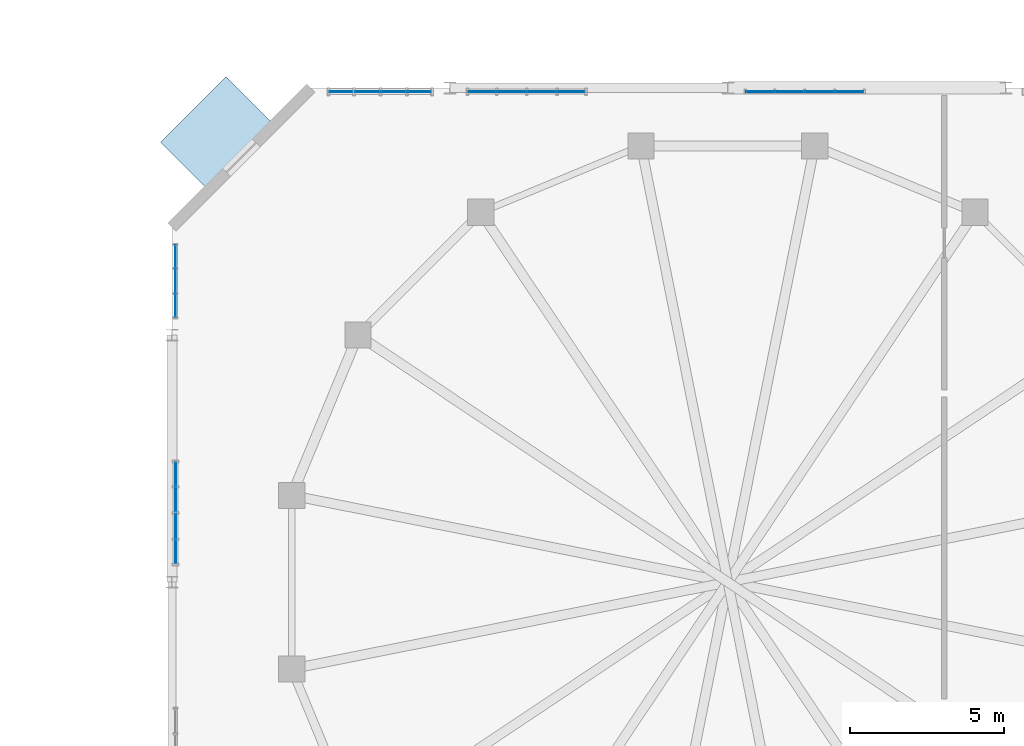
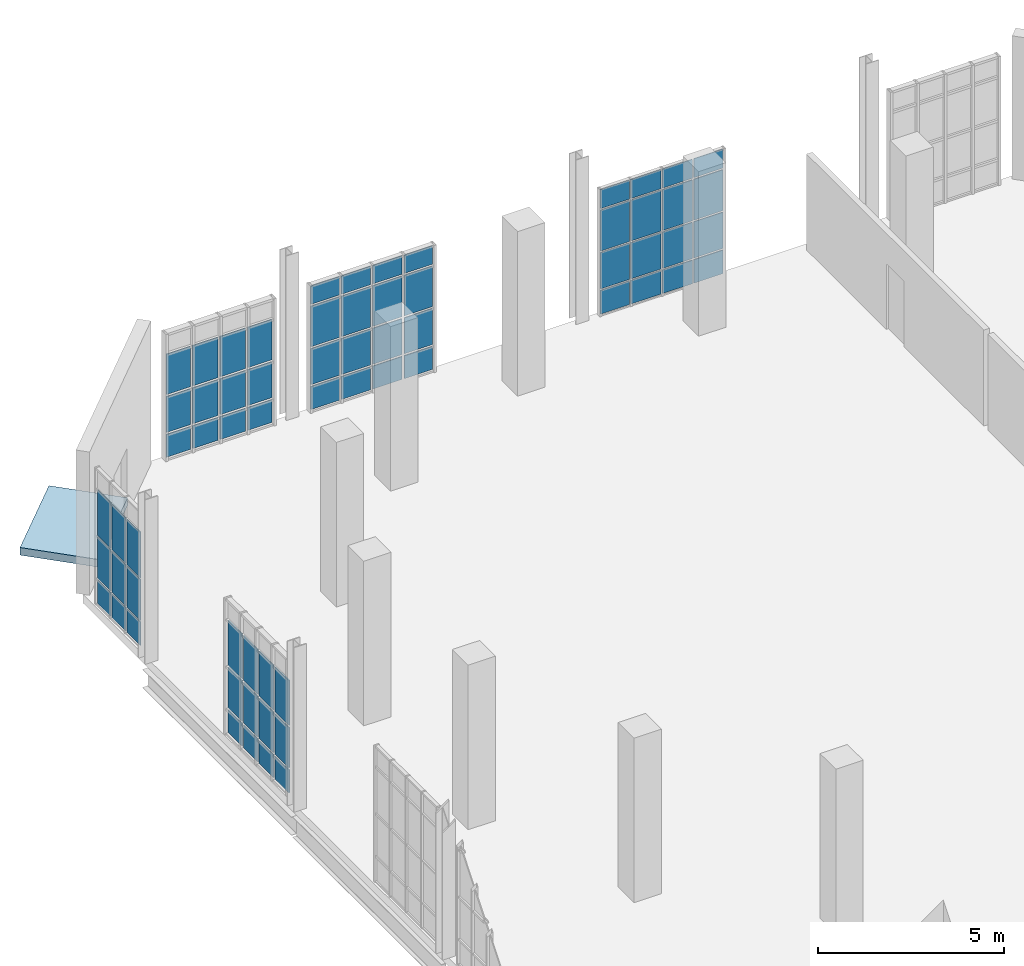
# One storey, part 158 of 189: 65 plates, 1 slab, 5 elements without a shape of their own.
"""IFC4 building model written with IfcOpenShell, lengths in metres."""

from ifc_helpers import new_model, si_unit, direction, frame, origin, origin_2d, place, context, subcontext, project, spatial, polyline, rectangle, outline, extrude, material, layer, layer_set, type_object, element, aggregate, save


model = new_model("IFC4")

# Units and contexts
model_context = context("Model", 3, precision=1e-05, world=origin(), true_north=direction((0.0, 1.0)))
body_context = subcontext(model_context, "Body", "Model", "MODEL_VIEW")
ifc_project = project(units=[si_unit("LENGTHUNIT", "METRE"), si_unit("AREAUNIT", "SQUARE_METRE"), si_unit("VOLUMEUNIT", "CUBIC_METRE"), si_unit("PLANEANGLEUNIT", "RADIAN"), si_unit("MASSUNIT", "GRAM", prefix="KILO"), si_unit("THERMODYNAMICTEMPERATUREUNIT", "KELVIN"), si_unit("POWERUNIT", "WATT")], contexts=[model_context])

# Site, building, storey
site_placement = place(None, origin())
site = spatial("IfcSite", under=ifc_project, at=site_placement, CompositionType="ELEMENT")
building_placement = place(site_placement, origin())
building = spatial("IfcBuilding", under=site, at=building_placement, Name="Zelmaris Science Centre", CompositionType="ELEMENT")
storey_placement = place(building_placement, origin())
storey = spatial("IfcBuildingStorey", under=building, at=storey_placement, Name="L00", CompositionType="ELEMENT", Elevation=0.0)

# Curtain wall, plates
ifc_material_1 = material(Name="Anodised architectural aluminium 6063-T6", Category="aluminium")
ifc_layer_1 = layer(ifc_material_1, 0.18994140625, Name="Anodised architectural aluminium 6063-T6")
ifc_layer_set_1 = layer_set([ifc_layer_1], Name="Anodised architectural aluminium 6063-T6")
curtain_wall_type_1 = type_object("IfcCurtainWallType", Name="Curtain Wall CW-01", PredefinedType="USERDEFINED", material=ifc_layer_set_1)
curtain_wall_1_placement = place(storey_placement, origin())
curtain_wall_1 = element("IfcCurtainWall", 1, at=curtain_wall_1_placement, inside=storey, type_object=curtain_wall_type_1, Name="L00 Unitised curtain wall 17", ObjectType="GLAZED CURTAIN WALL", PredefinedType="USERDEFINED")
ifc_material_2 = material(Name="Laminated hurricane-rated low-E insulated glazing", Category="glass")
ifc_layer_2 = layer(ifc_material_2, 0.031982421875, Name="Laminated hurricane-rated low-E insulated glazing")
ifc_layer_set_2 = layer_set([ifc_layer_2], Name="Laminated hurricane-rated low-E insulated glazing")
plate_type_1 = type_object("IfcPlateType", Name="Curtain Glazing Panel CWP-1 32mm", PredefinedType="CURTAIN_PANEL", material=ifc_layer_set_2)
plate_1_placement = place(storey_placement, frame((14.485595703125, 87.8798828125, 0.05712890625), z_axis=(0.0, 0.0, 1.0), x_axis=(1.0, 0.0, 0.0)))
plate_1 = element("IfcPlate", 2, at=plate_1_placement, type_object=plate_type_1, Name="CW-01 panel 1.1", PredefinedType="CURTAIN_PANEL", context=body_context, shape_type="SweptSolid", body=[
    extrude(rectangle(XDim=0.7470703125, YDim=0.031982421875, at=origin_2d()), origin(), (0.0, 0.0, 1.0), 0.741943359375),
])
plate_2_placement = place(storey_placement, frame((14.485595703125, 87.8798828125, 0.87109375), z_axis=(0.0, 0.0, 1.0), x_axis=(1.0, 0.0, 0.0)))
plate_2 = element("IfcPlate", 3, at=plate_2_placement, type_object=plate_type_1, Name="CW-01 panel 1.2", PredefinedType="CURTAIN_PANEL", context=body_context, shape_type="SweptSolid", body=[
    extrude(rectangle(XDim=0.7470703125, YDim=0.031982421875, at=origin_2d()), origin(), (0.0, 0.0, 1.0), 1.1708984375),
])
plate_3_placement = place(storey_placement, frame((14.485595703125, 87.8798828125, 2.11376953125), z_axis=(0.0, 0.0, 1.0), x_axis=(1.0, 0.0, 0.0)))
plate_3 = element("IfcPlate", 4, at=plate_3_placement, type_object=plate_type_1, Name="CW-01 panel 1.3", PredefinedType="CURTAIN_PANEL", context=body_context, shape_type="SweptSolid", body=[
    extrude(rectangle(XDim=0.7470703125, YDim=0.031982421875, at=origin_2d()), origin(), (0.0, 0.0, 1.0), 1.321044921875),
])
plate_4_placement = place(storey_placement, frame((15.322509765625, 87.8798828125, 0.05712890625), z_axis=(0.0, 0.0, 1.0), x_axis=(1.0, 0.0, 0.0)))
plate_4 = element("IfcPlate", 5, at=plate_4_placement, type_object=plate_type_1, Name="CW-01 panel 2.1", PredefinedType="CURTAIN_PANEL", context=body_context, shape_type="SweptSolid", body=[
    extrude(rectangle(XDim=0.782958984375, YDim=0.031982421875, at=origin_2d()), origin(), (0.0, 0.0, 1.0), 0.741943359375),
])
plate_5_placement = place(storey_placement, frame((15.322509765625, 87.8798828125, 0.87109375), z_axis=(0.0, 0.0, 1.0), x_axis=(1.0, 0.0, 0.0)))
plate_5 = element("IfcPlate", 6, at=plate_5_placement, type_object=plate_type_1, Name="CW-01 panel 2.2", PredefinedType="CURTAIN_PANEL", context=body_context, shape_type="SweptSolid", body=[
    extrude(rectangle(XDim=0.782958984375, YDim=0.031982421875, at=origin_2d()), origin(), (0.0, 0.0, 1.0), 1.1708984375),
])
plate_6_placement = place(storey_placement, frame((15.322509765625, 87.8798828125, 2.11376953125), z_axis=(0.0, 0.0, 1.0), x_axis=(1.0, 0.0, 0.0)))
plate_6 = element("IfcPlate", 7, at=plate_6_placement, type_object=plate_type_1, Name="CW-01 panel 2.3", PredefinedType="CURTAIN_PANEL", context=body_context, shape_type="SweptSolid", body=[
    extrude(rectangle(XDim=0.782958984375, YDim=0.031982421875, at=origin_2d()), origin(), (0.0, 0.0, 1.0), 1.321044921875),
])
plate_7_placement = place(storey_placement, frame((16.177490234375, 87.8798828125, 0.05712890625), z_axis=(0.0, 0.0, 1.0), x_axis=(1.0, 0.0, 0.0)))
plate_7 = element("IfcPlate", 8, at=plate_7_placement, type_object=plate_type_1, Name="CW-01 panel 3.1", PredefinedType="CURTAIN_PANEL", context=body_context, shape_type="SweptSolid", body=[
    extrude(rectangle(XDim=0.782958984375, YDim=0.031982421875, at=origin_2d()), origin(), (0.0, 0.0, 1.0), 0.741943359375),
])
plate_8_placement = place(storey_placement, frame((16.177490234375, 87.8798828125, 0.87109375), z_axis=(0.0, 0.0, 1.0), x_axis=(1.0, 0.0, 0.0)))
plate_8 = element("IfcPlate", 9, at=plate_8_placement, type_object=plate_type_1, Name="CW-01 panel 3.2", PredefinedType="CURTAIN_PANEL", context=body_context, shape_type="SweptSolid", body=[
    extrude(rectangle(XDim=0.782958984375, YDim=0.031982421875, at=origin_2d()), origin(), (0.0, 0.0, 1.0), 1.1708984375),
])
plate_9_placement = place(storey_placement, frame((16.177490234375, 87.8798828125, 2.11376953125), z_axis=(0.0, 0.0, 1.0), x_axis=(1.0, 0.0, 0.0)))
plate_9 = element("IfcPlate", 10, at=plate_9_placement, type_object=plate_type_1, Name="CW-01 panel 3.3", PredefinedType="CURTAIN_PANEL", context=body_context, shape_type="SweptSolid", body=[
    extrude(rectangle(XDim=0.782958984375, YDim=0.031982421875, at=origin_2d()), origin(), (0.0, 0.0, 1.0), 1.321044921875),
])
plate_10_placement = place(storey_placement, frame((17.014404296875, 87.8798828125, 0.05712890625), z_axis=(0.0, 0.0, 1.0), x_axis=(1.0, 0.0, 0.0)))
plate_10 = element("IfcPlate", 11, at=plate_10_placement, type_object=plate_type_1, Name="CW-01 panel 4.1", PredefinedType="CURTAIN_PANEL", context=body_context, shape_type="SweptSolid", body=[
    extrude(rectangle(XDim=0.7470703125, YDim=0.031982421875, at=origin_2d()), origin(), (0.0, 0.0, 1.0), 0.741943359375),
])
plate_11_placement = place(storey_placement, frame((17.014404296875, 87.8798828125, 0.87109375), z_axis=(0.0, 0.0, 1.0), x_axis=(1.0, 0.0, 0.0)))
plate_11 = element("IfcPlate", 12, at=plate_11_placement, type_object=plate_type_1, Name="CW-01 panel 4.2", PredefinedType="CURTAIN_PANEL", context=body_context, shape_type="SweptSolid", body=[
    extrude(rectangle(XDim=0.7470703125, YDim=0.031982421875, at=origin_2d()), origin(), (0.0, 0.0, 1.0), 1.1708984375),
])
plate_12_placement = place(storey_placement, frame((17.014404296875, 87.8798828125, 2.11376953125), z_axis=(0.0, 0.0, 1.0), x_axis=(1.0, 0.0, 0.0)))
plate_12 = element("IfcPlate", 13, at=plate_12_placement, type_object=plate_type_1, Name="CW-01 panel 4.3", PredefinedType="CURTAIN_PANEL", context=body_context, shape_type="SweptSolid", body=[
    extrude(rectangle(XDim=0.7470703125, YDim=0.031982421875, at=origin_2d()), origin(), (0.0, 0.0, 1.0), 1.321044921875),
])
aggregate(curtain_wall_1, [plate_1, plate_2, plate_3, plate_4, plate_5, plate_6, plate_7, plate_8, plate_9, plate_10, plate_11, plate_12])

ifc_layer_3 = layer(ifc_material_1, 0.199951171875, Name="Anodised architectural aluminium 6063-T6")
ifc_layer_set_3 = layer_set([ifc_layer_3], Name="Anodised architectural aluminium 6063-T6")
curtain_wall_type_2 = type_object("IfcCurtainWallType", Name="Curtain Wall CW-02", PredefinedType="USERDEFINED", material=ifc_layer_set_3)
curtain_wall_2_placement = place(storey_placement, origin())
curtain_wall_2 = element("IfcCurtainWall", 14, at=curtain_wall_2_placement, inside=storey, type_object=curtain_wall_type_2, Name="L00 Unitised curtain wall 14", ObjectType="GLAZED CURTAIN WALL", PredefinedType="USERDEFINED")
ifc_layer_4 = layer(ifc_material_2, 0.028076171875, Name="Laminated hurricane-rated low-E insulated glazing")
ifc_layer_set_4 = layer_set([ifc_layer_4], Name="Laminated hurricane-rated low-E insulated glazing")
plate_type_2 = type_object("IfcPlateType", Name="Curtain Glazing Panel CWP-2 28mm", PredefinedType="CURTAIN_PANEL", material=ifc_layer_set_4)
plate_13_placement = place(storey_placement, frame((9.1201171875, 72.981689453125, 0.052001953125), z_axis=(0.0, 0.0, 1.0), x_axis=(0.0, 1.0, 0.0)))
plate_13 = element("IfcPlate", 15, at=plate_13_placement, type_object=plate_type_2, Name="CW-02 panel 1.1", PredefinedType="CURTAIN_PANEL", context=body_context, shape_type="SweptSolid", body=[
    extrude(rectangle(XDim=0.74951171875, YDim=0.028076171875, at=origin_2d()), origin(), (0.0, 0.0, 1.0), 0.74951171875),
])
plate_14_placement = place(storey_placement, frame((9.1201171875, 72.981689453125, 0.86865234375), z_axis=(0.0, 0.0, 1.0), x_axis=(0.0, 1.0, 0.0)))
plate_14 = element("IfcPlate", 16, at=plate_14_placement, type_object=plate_type_2, Name="CW-02 panel 1.2", PredefinedType="CURTAIN_PANEL", context=body_context, shape_type="SweptSolid", body=[
    extrude(rectangle(XDim=0.74951171875, YDim=0.028076171875, at=origin_2d()), origin(), (0.0, 0.0, 1.0), 1.326904296875),
])
plate_15_placement = place(storey_placement, frame((9.1201171875, 72.981689453125, 2.262451171875), z_axis=(0.0, 0.0, 1.0), x_axis=(0.0, 1.0, 0.0)))
plate_15 = element("IfcPlate", 17, at=plate_15_placement, type_object=plate_type_2, Name="CW-02 panel 1.3", PredefinedType="CURTAIN_PANEL", context=body_context, shape_type="SweptSolid", body=[
    extrude(rectangle(XDim=0.74951171875, YDim=0.028076171875, at=origin_2d()), origin(), (0.0, 0.0, 1.0), 1.47705078125),
])
plate_16_placement = place(storey_placement, frame((9.1201171875, 73.81494140625, 0.052001953125), z_axis=(0.0, 0.0, 1.0), x_axis=(0.0, 1.0, 0.0)))
plate_16 = element("IfcPlate", 18, at=plate_16_placement, type_object=plate_type_2, Name="CW-02 panel 2.1", PredefinedType="CURTAIN_PANEL", context=body_context, shape_type="SweptSolid", body=[
    extrude(rectangle(XDim=0.782958984375, YDim=0.028076171875, at=origin_2d()), origin(), (0.0, 0.0, 1.0), 0.74951171875),
])
plate_17_placement = place(storey_placement, frame((9.1201171875, 73.81494140625, 0.86865234375), z_axis=(0.0, 0.0, 1.0), x_axis=(0.0, 1.0, 0.0)))
plate_17 = element("IfcPlate", 19, at=plate_17_placement, type_object=plate_type_2, Name="CW-02 panel 2.2", PredefinedType="CURTAIN_PANEL", context=body_context, shape_type="SweptSolid", body=[
    extrude(rectangle(XDim=0.782958984375, YDim=0.028076171875, at=origin_2d()), origin(), (0.0, 0.0, 1.0), 1.326904296875),
])
plate_18_placement = place(storey_placement, frame((9.1201171875, 73.81494140625, 2.262451171875), z_axis=(0.0, 0.0, 1.0), x_axis=(0.0, 1.0, 0.0)))
plate_18 = element("IfcPlate", 20, at=plate_18_placement, type_object=plate_type_2, Name="CW-02 panel 2.3", PredefinedType="CURTAIN_PANEL", context=body_context, shape_type="SweptSolid", body=[
    extrude(rectangle(XDim=0.782958984375, YDim=0.028076171875, at=origin_2d()), origin(), (0.0, 0.0, 1.0), 1.47705078125),
])
plate_19_placement = place(storey_placement, frame((9.1201171875, 74.6650390625, 0.052001953125), z_axis=(0.0, 0.0, 1.0), x_axis=(0.0, 1.0, 0.0)))
plate_19 = element("IfcPlate", 21, at=plate_19_placement, type_object=plate_type_2, Name="CW-02 panel 3.1", PredefinedType="CURTAIN_PANEL", context=body_context, shape_type="SweptSolid", body=[
    extrude(rectangle(XDim=0.782958984375, YDim=0.028076171875, at=origin_2d()), origin(), (0.0, 0.0, 1.0), 0.74951171875),
])
plate_20_placement = place(storey_placement, frame((9.1201171875, 74.6650390625, 0.86865234375), z_axis=(0.0, 0.0, 1.0), x_axis=(0.0, 1.0, 0.0)))
plate_20 = element("IfcPlate", 22, at=plate_20_placement, type_object=plate_type_2, Name="CW-02 panel 3.2", PredefinedType="CURTAIN_PANEL", context=body_context, shape_type="SweptSolid", body=[
    extrude(rectangle(XDim=0.782958984375, YDim=0.028076171875, at=origin_2d()), origin(), (0.0, 0.0, 1.0), 1.326904296875),
])
plate_21_placement = place(storey_placement, frame((9.1201171875, 74.6650390625, 2.262451171875), z_axis=(0.0, 0.0, 1.0), x_axis=(0.0, 1.0, 0.0)))
plate_21 = element("IfcPlate", 23, at=plate_21_placement, type_object=plate_type_2, Name="CW-02 panel 3.3", PredefinedType="CURTAIN_PANEL", context=body_context, shape_type="SweptSolid", body=[
    extrude(rectangle(XDim=0.782958984375, YDim=0.028076171875, at=origin_2d()), origin(), (0.0, 0.0, 1.0), 1.47705078125),
])
plate_22_placement = place(storey_placement, frame((9.1201171875, 75.498291015625, 0.052001953125), z_axis=(0.0, 0.0, 1.0), x_axis=(0.0, 1.0, 0.0)))
plate_22 = element("IfcPlate", 24, at=plate_22_placement, type_object=plate_type_2, Name="CW-02 panel 4.1", PredefinedType="CURTAIN_PANEL", context=body_context, shape_type="SweptSolid", body=[
    extrude(rectangle(XDim=0.74951171875, YDim=0.028076171875, at=origin_2d()), origin(), (0.0, 0.0, 1.0), 0.74951171875),
])
plate_23_placement = place(storey_placement, frame((9.1201171875, 75.498291015625, 0.86865234375), z_axis=(0.0, 0.0, 1.0), x_axis=(0.0, 1.0, 0.0)))
plate_23 = element("IfcPlate", 25, at=plate_23_placement, type_object=plate_type_2, Name="CW-02 panel 4.2", PredefinedType="CURTAIN_PANEL", context=body_context, shape_type="SweptSolid", body=[
    extrude(rectangle(XDim=0.74951171875, YDim=0.028076171875, at=origin_2d()), origin(), (0.0, 0.0, 1.0), 1.326904296875),
])
plate_24_placement = place(storey_placement, frame((9.1201171875, 75.498291015625, 2.262451171875), z_axis=(0.0, 0.0, 1.0), x_axis=(0.0, 1.0, 0.0)))
plate_24 = element("IfcPlate", 26, at=plate_24_placement, type_object=plate_type_2, Name="CW-02 panel 4.3", PredefinedType="CURTAIN_PANEL", context=body_context, shape_type="SweptSolid", body=[
    extrude(rectangle(XDim=0.74951171875, YDim=0.028076171875, at=origin_2d()), origin(), (0.0, 0.0, 1.0), 1.47705078125),
])
aggregate(curtain_wall_2, [plate_13, plate_14, plate_15, plate_16, plate_17, plate_18, plate_19, plate_20, plate_21, plate_22, plate_23, plate_24])

curtain_wall_3_placement = place(storey_placement, origin())
curtain_wall_3 = element("IfcCurtainWall", 27, at=curtain_wall_3_placement, inside=storey, type_object=curtain_wall_type_2, Name="L00 Unitised curtain wall 18", ObjectType="GLAZED CURTAIN WALL", PredefinedType="USERDEFINED")
plate_25_placement = place(storey_placement, frame((19.044189453125, 87.8798828125, 0.052001953125), z_axis=(0.0, 0.0, 1.0), x_axis=(1.0, 0.0, 0.0)))
plate_25 = element("IfcPlate", 28, at=plate_25_placement, type_object=plate_type_2, Name="CW-02 panel 1.1", PredefinedType="CURTAIN_PANEL", context=body_context, shape_type="SweptSolid", body=[
    extrude(rectangle(XDim=0.87451171875, YDim=0.028076171875, at=origin_2d()), origin(), (0.0, 0.0, 1.0), 0.74951171875),
])
plate_26_placement = place(storey_placement, frame((19.044189453125, 87.8798828125, 0.86865234375), z_axis=(0.0, 0.0, 1.0), x_axis=(1.0, 0.0, 0.0)))
plate_26 = element("IfcPlate", 29, at=plate_26_placement, type_object=plate_type_2, Name="CW-02 panel 1.2", PredefinedType="CURTAIN_PANEL", context=body_context, shape_type="SweptSolid", body=[
    extrude(rectangle(XDim=0.87451171875, YDim=0.028076171875, at=origin_2d()), origin(), (0.0, 0.0, 1.0), 1.176025390625),
])
plate_27_placement = place(storey_placement, frame((19.044189453125, 87.8798828125, 2.111328125), z_axis=(0.0, 0.0, 1.0), x_axis=(1.0, 0.0, 0.0)))
plate_27 = element("IfcPlate", 30, at=plate_27_placement, type_object=plate_type_2, Name="CW-02 panel 1.3", PredefinedType="CURTAIN_PANEL", context=body_context, shape_type="SweptSolid", body=[
    extrude(rectangle(XDim=0.87451171875, YDim=0.028076171875, at=origin_2d()), origin(), (0.0, 0.0, 1.0), 1.325927734375),
])
plate_28_placement = place(storey_placement, frame((19.044189453125, 87.8798828125, 3.50439453125), z_axis=(0.0, 0.0, 1.0), x_axis=(1.0, 0.0, 0.0)))
plate_28 = element("IfcPlate", 31, at=plate_28_placement, type_object=plate_type_2, Name="CW-02 panel 1.4", PredefinedType="CURTAIN_PANEL", context=body_context, shape_type="SweptSolid", body=[
    extrude(rectangle(XDim=0.87451171875, YDim=0.028076171875, at=origin_2d()), origin(), (0.0, 0.0, 1.0), 0.599609375),
])
plate_29_placement = place(storey_placement, frame((20.00244140625, 87.8798828125, 0.052001953125), z_axis=(0.0, 0.0, 1.0), x_axis=(1.0, 0.0, 0.0)))
plate_29 = element("IfcPlate", 32, at=plate_29_placement, type_object=plate_type_2, Name="CW-02 panel 2.1", PredefinedType="CURTAIN_PANEL", context=body_context, shape_type="SweptSolid", body=[
    extrude(rectangle(XDim=0.907958984375, YDim=0.028076171875, at=origin_2d()), origin(), (0.0, 0.0, 1.0), 0.74951171875),
])
plate_30_placement = place(storey_placement, frame((20.00244140625, 87.8798828125, 0.86865234375), z_axis=(0.0, 0.0, 1.0), x_axis=(1.0, 0.0, 0.0)))
plate_30 = element("IfcPlate", 33, at=plate_30_placement, type_object=plate_type_2, Name="CW-02 panel 2.2", PredefinedType="CURTAIN_PANEL", context=body_context, shape_type="SweptSolid", body=[
    extrude(rectangle(XDim=0.907958984375, YDim=0.028076171875, at=origin_2d()), origin(), (0.0, 0.0, 1.0), 1.176025390625),
])
plate_31_placement = place(storey_placement, frame((20.00244140625, 87.8798828125, 2.111328125), z_axis=(0.0, 0.0, 1.0), x_axis=(1.0, 0.0, 0.0)))
plate_31 = element("IfcPlate", 34, at=plate_31_placement, type_object=plate_type_2, Name="CW-02 panel 2.3", PredefinedType="CURTAIN_PANEL", context=body_context, shape_type="SweptSolid", body=[
    extrude(rectangle(XDim=0.907958984375, YDim=0.028076171875, at=origin_2d()), origin(), (0.0, 0.0, 1.0), 1.325927734375),
])
plate_32_placement = place(storey_placement, frame((20.00244140625, 87.8798828125, 3.50439453125), z_axis=(0.0, 0.0, 1.0), x_axis=(1.0, 0.0, 0.0)))
plate_32 = element("IfcPlate", 35, at=plate_32_placement, type_object=plate_type_2, Name="CW-02 panel 2.4", PredefinedType="CURTAIN_PANEL", context=body_context, shape_type="SweptSolid", body=[
    extrude(rectangle(XDim=0.907958984375, YDim=0.028076171875, at=origin_2d()), origin(), (0.0, 0.0, 1.0), 0.599609375),
])
plate_33_placement = place(storey_placement, frame((20.9775390625, 87.8798828125, 0.052001953125), z_axis=(0.0, 0.0, 1.0), x_axis=(1.0, 0.0, 0.0)))
plate_33 = element("IfcPlate", 36, at=plate_33_placement, type_object=plate_type_2, Name="CW-02 panel 3.1", PredefinedType="CURTAIN_PANEL", context=body_context, shape_type="SweptSolid", body=[
    extrude(rectangle(XDim=0.907958984375, YDim=0.028076171875, at=origin_2d()), origin(), (0.0, 0.0, 1.0), 0.74951171875),
])
plate_34_placement = place(storey_placement, frame((20.9775390625, 87.8798828125, 0.86865234375), z_axis=(0.0, 0.0, 1.0), x_axis=(1.0, 0.0, 0.0)))
plate_34 = element("IfcPlate", 37, at=plate_34_placement, type_object=plate_type_2, Name="CW-02 panel 3.2", PredefinedType="CURTAIN_PANEL", context=body_context, shape_type="SweptSolid", body=[
    extrude(rectangle(XDim=0.907958984375, YDim=0.028076171875, at=origin_2d()), origin(), (0.0, 0.0, 1.0), 1.176025390625),
])
plate_35_placement = place(storey_placement, frame((20.9775390625, 87.8798828125, 2.111328125), z_axis=(0.0, 0.0, 1.0), x_axis=(1.0, 0.0, 0.0)))
plate_35 = element("IfcPlate", 38, at=plate_35_placement, type_object=plate_type_2, Name="CW-02 panel 3.3", PredefinedType="CURTAIN_PANEL", context=body_context, shape_type="SweptSolid", body=[
    extrude(rectangle(XDim=0.907958984375, YDim=0.028076171875, at=origin_2d()), origin(), (0.0, 0.0, 1.0), 1.325927734375),
])
plate_36_placement = place(storey_placement, frame((20.9775390625, 87.8798828125, 3.50439453125), z_axis=(0.0, 0.0, 1.0), x_axis=(1.0, 0.0, 0.0)))
plate_36 = element("IfcPlate", 39, at=plate_36_placement, type_object=plate_type_2, Name="CW-02 panel 3.4", PredefinedType="CURTAIN_PANEL", context=body_context, shape_type="SweptSolid", body=[
    extrude(rectangle(XDim=0.907958984375, YDim=0.028076171875, at=origin_2d()), origin(), (0.0, 0.0, 1.0), 0.599609375),
])
plate_37_placement = place(storey_placement, frame((21.935791015625, 87.8798828125, 0.052001953125), z_axis=(0.0, 0.0, 1.0), x_axis=(1.0, 0.0, 0.0)))
plate_37 = element("IfcPlate", 40, at=plate_37_placement, type_object=plate_type_2, Name="CW-02 panel 4.1", PredefinedType="CURTAIN_PANEL", context=body_context, shape_type="SweptSolid", body=[
    extrude(rectangle(XDim=0.87451171875, YDim=0.028076171875, at=origin_2d()), origin(), (0.0, 0.0, 1.0), 0.74951171875),
])
plate_38_placement = place(storey_placement, frame((21.935791015625, 87.8798828125, 0.86865234375), z_axis=(0.0, 0.0, 1.0), x_axis=(1.0, 0.0, 0.0)))
plate_38 = element("IfcPlate", 41, at=plate_38_placement, type_object=plate_type_2, Name="CW-02 panel 4.2", PredefinedType="CURTAIN_PANEL", context=body_context, shape_type="SweptSolid", body=[
    extrude(rectangle(XDim=0.87451171875, YDim=0.028076171875, at=origin_2d()), origin(), (0.0, 0.0, 1.0), 1.176025390625),
])
plate_39_placement = place(storey_placement, frame((21.935791015625, 87.8798828125, 2.111328125), z_axis=(0.0, 0.0, 1.0), x_axis=(1.0, 0.0, 0.0)))
plate_39 = element("IfcPlate", 42, at=plate_39_placement, type_object=plate_type_2, Name="CW-02 panel 4.3", PredefinedType="CURTAIN_PANEL", context=body_context, shape_type="SweptSolid", body=[
    extrude(rectangle(XDim=0.87451171875, YDim=0.028076171875, at=origin_2d()), origin(), (0.0, 0.0, 1.0), 1.325927734375),
])
plate_40_placement = place(storey_placement, frame((21.935791015625, 87.8798828125, 3.50439453125), z_axis=(0.0, 0.0, 1.0), x_axis=(1.0, 0.0, 0.0)))
plate_40 = element("IfcPlate", 43, at=plate_40_placement, type_object=plate_type_2, Name="CW-02 panel 4.4", PredefinedType="CURTAIN_PANEL", context=body_context, shape_type="SweptSolid", body=[
    extrude(rectangle(XDim=0.87451171875, YDim=0.028076171875, at=origin_2d()), origin(), (0.0, 0.0, 1.0), 0.599609375),
])
aggregate(curtain_wall_3, [plate_25, plate_26, plate_27, plate_28, plate_29, plate_30, plate_31, plate_32, plate_33, plate_34, plate_35, plate_36, plate_37, plate_38, plate_39, plate_40])

ifc_layer_5 = layer(ifc_material_1, 0.219970703125, Name="Anodised architectural aluminium 6063-T6")
ifc_layer_set_5 = layer_set([ifc_layer_5], Name="Anodised architectural aluminium 6063-T6")
curtain_wall_type_3 = type_object("IfcCurtainWallType", Name="Curtain Wall CW-04", PredefinedType="USERDEFINED", material=ifc_layer_set_5)
curtain_wall_4_placement = place(storey_placement, origin())
curtain_wall_4 = element("IfcCurtainWall", 44, at=curtain_wall_4_placement, inside=storey, type_object=curtain_wall_type_3, Name="L00 Unitised curtain wall 16", ObjectType="GLAZED CURTAIN WALL", PredefinedType="USERDEFINED")
ifc_layer_6 = layer(ifc_material_2, 0.02392578125, Name="Laminated hurricane-rated low-E insulated glazing")
ifc_layer_set_6 = layer_set([ifc_layer_6], Name="Laminated hurricane-rated low-E insulated glazing")
plate_type_3 = type_object("IfcPlateType", Name="Curtain Glazing Panel CWP-4 24mm", PredefinedType="CURTAIN_PANEL", material=ifc_layer_set_6)
plate_41_placement = place(storey_placement, frame((9.1201171875, 80.956298828125, 0.037109375), z_axis=(0.0, 0.0, 1.0), x_axis=(0.0, 1.0, 0.0)))
plate_41 = element("IfcPlate", 45, at=plate_41_placement, type_object=plate_type_3, Name="CW-04 panel 1.1", PredefinedType="CURTAIN_PANEL", context=body_context, shape_type="SweptSolid", body=[
    extrude(rectangle(XDim=0.728759765625, YDim=0.02392578125, at=origin_2d()), origin(), (0.0, 0.0, 1.0), 0.77197265625),
])
plate_42_placement = place(storey_placement, frame((9.1201171875, 80.956298828125, 0.86083984375), z_axis=(0.0, 0.0, 1.0), x_axis=(0.0, 1.0, 0.0)))
plate_42 = element("IfcPlate", 46, at=plate_42_placement, type_object=plate_type_3, Name="CW-04 panel 1.2", PredefinedType="CURTAIN_PANEL", context=body_context, shape_type="SweptSolid", body=[
    extrude(rectangle(XDim=0.728759765625, YDim=0.02392578125, at=origin_2d()), origin(), (0.0, 0.0, 1.0), 1.346923828125),
])
plate_43_placement = place(storey_placement, frame((9.1201171875, 80.956298828125, 2.260009765625), z_axis=(0.0, 0.0, 1.0), x_axis=(0.0, 1.0, 0.0)))
plate_43 = element("IfcPlate", 47, at=plate_43_placement, type_object=plate_type_3, Name="CW-04 panel 1.3", PredefinedType="CURTAIN_PANEL", context=body_context, shape_type="SweptSolid", body=[
    extrude(rectangle(XDim=0.728759765625, YDim=0.02392578125, at=origin_2d()), origin(), (0.0, 0.0, 1.0), 1.4970703125),
])
plate_44_placement = place(storey_placement, frame((9.1201171875, 81.75, 0.037109375), z_axis=(0.0, 0.0, 1.0), x_axis=(0.0, 1.0, 0.0)))
plate_44 = element("IfcPlate", 48, at=plate_44_placement, type_object=plate_type_3, Name="CW-04 panel 2.1", PredefinedType="CURTAIN_PANEL", context=body_context, shape_type="SweptSolid", body=[
    extrude(rectangle(XDim=0.754638671875, YDim=0.02392578125, at=origin_2d()), origin(), (0.0, 0.0, 1.0), 0.77197265625),
])
plate_45_placement = place(storey_placement, frame((9.1201171875, 81.75, 0.86083984375), z_axis=(0.0, 0.0, 1.0), x_axis=(0.0, 1.0, 0.0)))
plate_45 = element("IfcPlate", 49, at=plate_45_placement, type_object=plate_type_3, Name="CW-04 panel 2.2", PredefinedType="CURTAIN_PANEL", context=body_context, shape_type="SweptSolid", body=[
    extrude(rectangle(XDim=0.754638671875, YDim=0.02392578125, at=origin_2d()), origin(), (0.0, 0.0, 1.0), 1.346923828125),
])
plate_46_placement = place(storey_placement, frame((9.1201171875, 81.75, 2.260009765625), z_axis=(0.0, 0.0, 1.0), x_axis=(0.0, 1.0, 0.0)))
plate_46 = element("IfcPlate", 50, at=plate_46_placement, type_object=plate_type_3, Name="CW-04 panel 2.3", PredefinedType="CURTAIN_PANEL", context=body_context, shape_type="SweptSolid", body=[
    extrude(rectangle(XDim=0.754638671875, YDim=0.02392578125, at=origin_2d()), origin(), (0.0, 0.0, 1.0), 1.4970703125),
])
plate_47_placement = place(storey_placement, frame((9.1201171875, 82.543701171875, 0.037109375), z_axis=(0.0, 0.0, 1.0), x_axis=(0.0, 1.0, 0.0)))
plate_47 = element("IfcPlate", 51, at=plate_47_placement, type_object=plate_type_3, Name="CW-04 panel 3.1", PredefinedType="CURTAIN_PANEL", context=body_context, shape_type="SweptSolid", body=[
    extrude(rectangle(XDim=0.728759765625, YDim=0.02392578125, at=origin_2d()), origin(), (0.0, 0.0, 1.0), 0.77197265625),
])
plate_48_placement = place(storey_placement, frame((9.1201171875, 82.543701171875, 0.86083984375), z_axis=(0.0, 0.0, 1.0), x_axis=(0.0, 1.0, 0.0)))
plate_48 = element("IfcPlate", 52, at=plate_48_placement, type_object=plate_type_3, Name="CW-04 panel 3.2", PredefinedType="CURTAIN_PANEL", context=body_context, shape_type="SweptSolid", body=[
    extrude(rectangle(XDim=0.728759765625, YDim=0.02392578125, at=origin_2d()), origin(), (0.0, 0.0, 1.0), 1.346923828125),
])
plate_49_placement = place(storey_placement, frame((9.1201171875, 82.543701171875, 2.260009765625), z_axis=(0.0, 0.0, 1.0), x_axis=(0.0, 1.0, 0.0)))
plate_49 = element("IfcPlate", 53, at=plate_49_placement, type_object=plate_type_3, Name="CW-04 panel 3.3", PredefinedType="CURTAIN_PANEL", context=body_context, shape_type="SweptSolid", body=[
    extrude(rectangle(XDim=0.728759765625, YDim=0.02392578125, at=origin_2d()), origin(), (0.0, 0.0, 1.0), 1.4970703125),
])
aggregate(curtain_wall_4, [plate_41, plate_42, plate_43, plate_44, plate_45, plate_46, plate_47, plate_48, plate_49])

curtain_wall_5_placement = place(storey_placement, origin())
curtain_wall_5 = element("IfcCurtainWall", 54, at=curtain_wall_5_placement, inside=storey, type_object=curtain_wall_type_3, Name="L00 Unitised curtain wall 20", ObjectType="GLAZED CURTAIN WALL", PredefinedType="USERDEFINED")
plate_50_placement = place(storey_placement, frame((28.04052734375, 87.8798828125, 0.037109375), z_axis=(0.0, 0.0, 1.0), x_axis=(1.0, 0.0, 0.0)))
plate_50 = element("IfcPlate", 55, at=plate_50_placement, type_object=plate_type_3, Name="CW-04 panel 1.1", PredefinedType="CURTAIN_PANEL", context=body_context, shape_type="SweptSolid", body=[
    extrude(rectangle(XDim=0.89697265625, YDim=0.02392578125, at=origin_2d()), origin(), (0.0, 0.0, 1.0), 0.77197265625),
])
plate_51_placement = place(storey_placement, frame((28.04052734375, 87.8798828125, 0.861083984375), z_axis=(0.0, 0.0, 1.0), x_axis=(1.0, 0.0, 0.0)))
plate_51 = element("IfcPlate", 56, at=plate_51_placement, type_object=plate_type_3, Name="CW-04 panel 1.2", PredefinedType="CURTAIN_PANEL", context=body_context, shape_type="SweptSolid", body=[
    extrude(rectangle(XDim=0.89697265625, YDim=0.02392578125, at=origin_2d()), origin(), (0.0, 0.0, 1.0), 1.19091796875),
])
plate_52_placement = place(storey_placement, frame((28.04052734375, 87.8798828125, 2.10400390625), z_axis=(0.0, 0.0, 1.0), x_axis=(1.0, 0.0, 0.0)))
plate_52 = element("IfcPlate", 57, at=plate_52_placement, type_object=plate_type_3, Name="CW-04 panel 1.3", PredefinedType="CURTAIN_PANEL", context=body_context, shape_type="SweptSolid", body=[
    extrude(rectangle(XDim=0.89697265625, YDim=0.02392578125, at=origin_2d()), origin(), (0.0, 0.0, 1.0), 1.341064453125),
])
plate_53_placement = place(storey_placement, frame((28.04052734375, 87.8798828125, 3.4970703125), z_axis=(0.0, 0.0, 1.0), x_axis=(1.0, 0.0, 0.0)))
plate_53 = element("IfcPlate", 58, at=plate_53_placement, type_object=plate_type_3, Name="CW-04 panel 1.4", PredefinedType="CURTAIN_PANEL", context=body_context, shape_type="SweptSolid", body=[
    extrude(rectangle(XDim=0.89697265625, YDim=0.02392578125, at=origin_2d()), origin(), (0.0, 0.0, 1.0), 0.6220703125),
])
plate_54_placement = place(storey_placement, frame((29.00244140625, 87.8798828125, 0.037109375), z_axis=(0.0, 0.0, 1.0), x_axis=(1.0, 0.0, 0.0)))
plate_54 = element("IfcPlate", 59, at=plate_54_placement, type_object=plate_type_3, Name="CW-04 panel 2.1", PredefinedType="CURTAIN_PANEL", context=body_context, shape_type="SweptSolid", body=[
    extrude(rectangle(XDim=0.923095703125, YDim=0.02392578125, at=origin_2d()), origin(), (0.0, 0.0, 1.0), 0.77197265625),
])
plate_55_placement = place(storey_placement, frame((29.00244140625, 87.8798828125, 0.861083984375), z_axis=(0.0, 0.0, 1.0), x_axis=(1.0, 0.0, 0.0)))
plate_55 = element("IfcPlate", 60, at=plate_55_placement, type_object=plate_type_3, Name="CW-04 panel 2.2", PredefinedType="CURTAIN_PANEL", context=body_context, shape_type="SweptSolid", body=[
    extrude(rectangle(XDim=0.923095703125, YDim=0.02392578125, at=origin_2d()), origin(), (0.0, 0.0, 1.0), 1.19091796875),
])
plate_56_placement = place(storey_placement, frame((29.00244140625, 87.8798828125, 2.10400390625), z_axis=(0.0, 0.0, 1.0), x_axis=(1.0, 0.0, 0.0)))
plate_56 = element("IfcPlate", 61, at=plate_56_placement, type_object=plate_type_3, Name="CW-04 panel 2.3", PredefinedType="CURTAIN_PANEL", context=body_context, shape_type="SweptSolid", body=[
    extrude(rectangle(XDim=0.923095703125, YDim=0.02392578125, at=origin_2d()), origin(), (0.0, 0.0, 1.0), 1.341064453125),
])
plate_57_placement = place(storey_placement, frame((29.00244140625, 87.8798828125, 3.4970703125), z_axis=(0.0, 0.0, 1.0), x_axis=(1.0, 0.0, 0.0)))
plate_57 = element("IfcPlate", 62, at=plate_57_placement, type_object=plate_type_3, Name="CW-04 panel 2.4", PredefinedType="CURTAIN_PANEL", context=body_context, shape_type="SweptSolid", body=[
    extrude(rectangle(XDim=0.923095703125, YDim=0.02392578125, at=origin_2d()), origin(), (0.0, 0.0, 1.0), 0.6220703125),
])
plate_58_placement = place(storey_placement, frame((29.9775390625, 87.8798828125, 0.037109375), z_axis=(0.0, 0.0, 1.0), x_axis=(1.0, 0.0, 0.0)))
plate_58 = element("IfcPlate", 63, at=plate_58_placement, type_object=plate_type_3, Name="CW-04 panel 3.1", PredefinedType="CURTAIN_PANEL", context=body_context, shape_type="SweptSolid", body=[
    extrude(rectangle(XDim=0.923095703125, YDim=0.02392578125, at=origin_2d()), origin(), (0.0, 0.0, 1.0), 0.77197265625),
])
plate_59_placement = place(storey_placement, frame((29.9775390625, 87.8798828125, 0.861083984375), z_axis=(0.0, 0.0, 1.0), x_axis=(1.0, 0.0, 0.0)))
plate_59 = element("IfcPlate", 64, at=plate_59_placement, type_object=plate_type_3, Name="CW-04 panel 3.2", PredefinedType="CURTAIN_PANEL", context=body_context, shape_type="SweptSolid", body=[
    extrude(rectangle(XDim=0.923095703125, YDim=0.02392578125, at=origin_2d()), origin(), (0.0, 0.0, 1.0), 1.19091796875),
])
plate_60_placement = place(storey_placement, frame((29.9775390625, 87.8798828125, 2.10400390625), z_axis=(0.0, 0.0, 1.0), x_axis=(1.0, 0.0, 0.0)))
plate_60 = element("IfcPlate", 65, at=plate_60_placement, type_object=plate_type_3, Name="CW-04 panel 3.3", PredefinedType="CURTAIN_PANEL", context=body_context, shape_type="SweptSolid", body=[
    extrude(rectangle(XDim=0.923095703125, YDim=0.02392578125, at=origin_2d()), origin(), (0.0, 0.0, 1.0), 1.341064453125),
])
plate_61_placement = place(storey_placement, frame((29.9775390625, 87.8798828125, 3.4970703125), z_axis=(0.0, 0.0, 1.0), x_axis=(1.0, 0.0, 0.0)))
plate_61 = element("IfcPlate", 66, at=plate_61_placement, type_object=plate_type_3, Name="CW-04 panel 3.4", PredefinedType="CURTAIN_PANEL", context=body_context, shape_type="SweptSolid", body=[
    extrude(rectangle(XDim=0.923095703125, YDim=0.02392578125, at=origin_2d()), origin(), (0.0, 0.0, 1.0), 0.6220703125),
])
plate_62_placement = place(storey_placement, frame((30.939453125, 87.8798828125, 0.037109375), z_axis=(0.0, 0.0, 1.0), x_axis=(1.0, 0.0, 0.0)))
plate_62 = element("IfcPlate", 67, at=plate_62_placement, type_object=plate_type_3, Name="CW-04 panel 4.1", PredefinedType="CURTAIN_PANEL", context=body_context, shape_type="SweptSolid", body=[
    extrude(rectangle(XDim=0.89697265625, YDim=0.02392578125, at=origin_2d()), origin(), (0.0, 0.0, 1.0), 0.77197265625),
])
plate_63_placement = place(storey_placement, frame((30.939453125, 87.8798828125, 0.861083984375), z_axis=(0.0, 0.0, 1.0), x_axis=(1.0, 0.0, 0.0)))
plate_63 = element("IfcPlate", 68, at=plate_63_placement, type_object=plate_type_3, Name="CW-04 panel 4.2", PredefinedType="CURTAIN_PANEL", context=body_context, shape_type="SweptSolid", body=[
    extrude(rectangle(XDim=0.89697265625, YDim=0.02392578125, at=origin_2d()), origin(), (0.0, 0.0, 1.0), 1.19091796875),
])
plate_64_placement = place(storey_placement, frame((30.939453125, 87.8798828125, 2.10400390625), z_axis=(0.0, 0.0, 1.0), x_axis=(1.0, 0.0, 0.0)))
plate_64 = element("IfcPlate", 69, at=plate_64_placement, type_object=plate_type_3, Name="CW-04 panel 4.3", PredefinedType="CURTAIN_PANEL", context=body_context, shape_type="SweptSolid", body=[
    extrude(rectangle(XDim=0.89697265625, YDim=0.02392578125, at=origin_2d()), origin(), (0.0, 0.0, 1.0), 1.341064453125),
])
plate_65_placement = place(storey_placement, frame((30.939453125, 87.8798828125, 3.4970703125), z_axis=(0.0, 0.0, 1.0), x_axis=(1.0, 0.0, 0.0)))
plate_65 = element("IfcPlate", 70, at=plate_65_placement, type_object=plate_type_3, Name="CW-04 panel 4.4", PredefinedType="CURTAIN_PANEL", context=body_context, shape_type="SweptSolid", body=[
    extrude(rectangle(XDim=0.89697265625, YDim=0.02392578125, at=origin_2d()), origin(), (0.0, 0.0, 1.0), 0.6220703125),
])
aggregate(curtain_wall_5, [plate_50, plate_51, plate_52, plate_53, plate_54, plate_55, plate_56, plate_57, plate_58, plate_59, plate_60, plate_61, plate_62, plate_63, plate_64, plate_65])

# Slab
ifc_material_3 = material(Name="Concrete C40/50", Category="concrete")
ifc_layer_7 = layer(ifc_material_3, 0.25, Name="Concrete C40/50")
ifc_layer_set_7 = layer_set([ifc_layer_7], Name="Concrete C40/50")
slab_type = type_object("IfcSlabType", Name="Slab SL-TR250 250mm", PredefinedType="FLOOR", material=ifc_layer_set_7)
slab_placement = place(storey_placement, frame((0.0, 0.0, -0.25)))
element("IfcSlab", 71, at=slab_placement, inside=storey, type_object=slab_type, Name="L00 Exterior threshold apron 3", PredefinedType="FLOOR", context=body_context, shape_type="SweptSolid", body=[
    extrude(outline(polyline([(10.182373046875, 84.6962890625), (8.6337890625, 86.2451171875), (10.755126953125, 88.3662109375), (12.3037109375, 86.81787109375), (10.182373046875, 84.6962890625)])), origin(), (0.0, 0.0, 1.0), 0.25),
])

save(model, "model.ifc")
